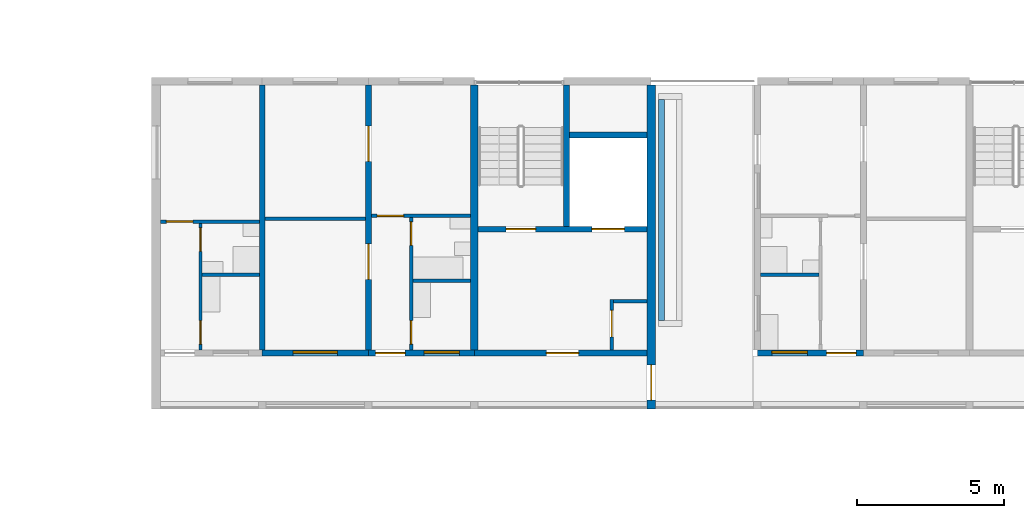
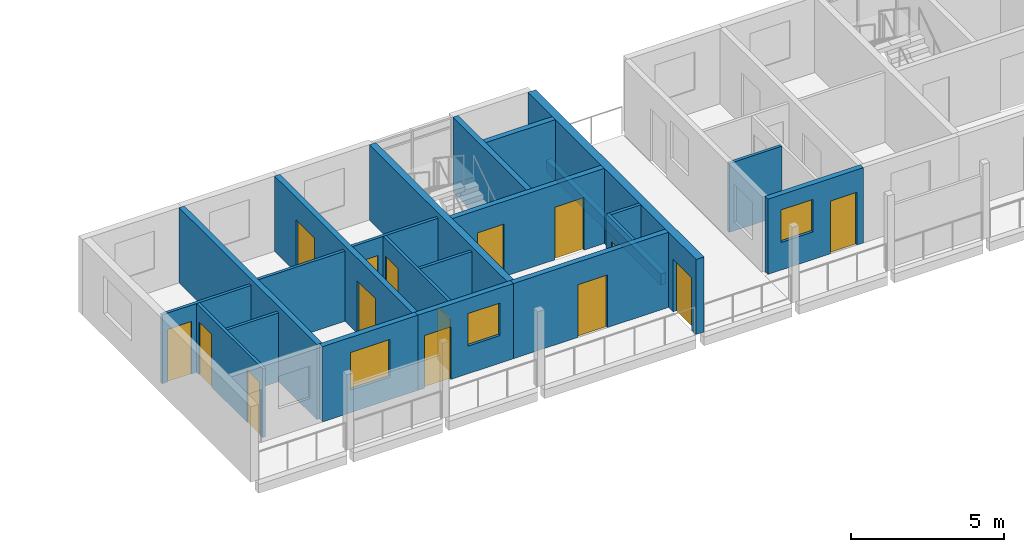
# One storey, part 48 of 94: 22 walls, 15 doors, 3 windows, 18 openings.
"""IFC4 building model written with IfcOpenShell, lengths in metres."""

from ifc_helpers import new_model, si_unit, direction, frame, frame_2d, origin, place, context, subcontext, project, spatial, rectangle, extrude, material, layer, layer_set, type_object, element, fill, save


model = new_model("IFC4")

# Units and contexts
model_context = context("Model", 3, precision=1e-05, world=origin(), true_north=direction((0.0, 1.0)))
body_context = subcontext(model_context, "Body", "Model", "MODEL_VIEW")
ifc_project = project(units=[si_unit("LENGTHUNIT", "METRE"), si_unit("AREAUNIT", "SQUARE_METRE"), si_unit("VOLUMEUNIT", "CUBIC_METRE"), si_unit("PLANEANGLEUNIT", "RADIAN"), si_unit("MASSUNIT", "GRAM", prefix="KILO")], contexts=[model_context])

# Site, building, storey
site_placement = place(None, origin())
site = spatial("IfcSite", under=ifc_project, at=site_placement, CompositionType="ELEMENT")
building_placement = place(site_placement, origin())
building = spatial("IfcBuilding", under=site, at=building_placement, Name="Ridgestep Commons", CompositionType="ELEMENT")
storey_placement = place(building_placement, frame((0.0, 0.0, 21.0)))
storey = spatial("IfcBuildingStorey", under=building, at=storey_placement, Name="L07", CompositionType="ELEMENT", Elevation=21.0)

# Wall
ifc_material_1 = material(Name="Concrete C30/37", Category="concrete")
ifc_layer_1 = layer(ifc_material_1, 0.25)
ifc_layer_set_1 = layer_set([ifc_layer_1], Name="Core cross wall 250")
wall_type_1 = type_object("IfcWallType", Name="Core cross wall 250", PredefinedType="SHEAR", material=ifc_layer_set_1)
wall_1_placement = place(storey_placement, frame((157.60009765625, 68.0, 0.0), z_axis=(0.0, 0.0, 1.0), x_axis=(0.0, 1.0, 0.0)))
element("IfcWall", 1, at=wall_1_placement, inside=storey, type_object=wall_type_1, Name="Cross wall C-07-1576", PredefinedType="SHEAR", context=body_context, shape_type="SweptSolid", body=[
    extrude(rectangle(XDim=9.0, YDim=0.25, at=frame_2d((4.5, 0.0))), origin(), (0.0, 0.0, 1.0), 3.0),
])

# Wall, opening, door
ifc_material_2 = material(Name="Concrete C30/37", Category="concrete")
ifc_layer_2 = layer(ifc_material_2, 0.199951171875)
ifc_layer_set_2 = layer_set([ifc_layer_2], Name="Core south wall 200")
wall_type_2 = type_object("IfcWallType", Name="Core south wall 200", PredefinedType="SHEAR", material=ifc_layer_set_2)
wall_2_placement = place(storey_placement, frame((157.60009765625, 67.89990234375, 0.0), z_axis=(0.0, 0.0, 1.0), x_axis=(1.0, 0.0, 0.0)))
wall_2 = element("IfcWall", 2, at=wall_2_placement, inside=storey, type_object=wall_type_2, Name="Core south wall C1C L07", PredefinedType="SHEAR", context=body_context, shape_type="SweptSolid", body=[
    extrude(rectangle(XDim=5.849853515625, YDim=0.199951171875, at=frame_2d((2.9248046875, 0.0))), origin(), (0.0, 0.0, 1.0), 3.0),
])
opening_1_placement = place(wall_2_placement, frame((2.4375, 0.0, 0.0)))
opening_1 = element("IfcOpeningElement", 3, at=opening_1_placement, cuts=wall_2, Name="Opening C1C/07/1", PredefinedType="OPENING", context=body_context, shape_type="SweptSolid", body=[
    extrude(rectangle(XDim=1.10009765625, YDim=2.10009765625, at=frame_2d((0.550048828125, 1.050048828125))), frame((0.0, 0.10986328125, 0.0), z_axis=(0.0, -1.0, 0.0), x_axis=(1.0, 0.0, 0.0)), (0.0, 0.0, 1.0), 0.219970703125),
])
ifc_material_3 = material(Name="Steel fire door", Category="steel")
door_type_1 = type_object("IfcDoorType", Name="Lobby door 1100 x 2100 FD60", OperationType="NOTDEFINED", PredefinedType="DOOR", material=ifc_material_3)
door_1_placement = place(opening_1_placement, origin())
door_1 = element("IfcDoor", 4, at=door_1_placement, inside=storey, type_object=door_type_1, Name="Lobby door C1C/07/1", OperationType="SINGLE_SWING_LEFT", OverallHeight=2.10009765625, OverallWidth=1.10009765625, PredefinedType="DOOR", context=body_context, shape_type="SweptSolid", body=[
    extrude(rectangle(XDim=1.10009765625, YDim=2.10009765625, at=frame_2d((0.550048828125, 1.050048828125))), frame((0.0, 0.02490234375, 0.0), z_axis=(0.0, -1.0, 0.0), x_axis=(1.0, 0.0, 0.0)), (0.0, 0.0, 1.0), 0.050048828125),
])
fill(opening_1, door_1)

ifc_material_4 = material(Name="Concrete C30/37", Category="concrete")
ifc_layer_3 = layer(ifc_material_4, 0.1201171875)
ifc_layer_set_3 = layer_set([ifc_layer_3], Name="Core wall 120")
wall_type_3 = type_object("IfcWallType", Name="Core wall 120", PredefinedType="SHEAR", material=ifc_layer_set_3)
wall_3_placement = place(storey_placement, frame((162.260009765625, 68.0, 0.0), z_axis=(0.0, 0.0, 1.0), x_axis=(0.0, 1.0, 0.0)))
wall_3 = element("IfcWall", 5, at=wall_3_placement, inside=storey, type_object=wall_type_3, Name="Core riser w wall C1C L07", PredefinedType="SHEAR", context=body_context, shape_type="SweptSolid", body=[
    extrude(rectangle(XDim=1.719970703125, YDim=0.1201171875, at=frame_2d((0.85986328125, 0.0))), origin(), (0.0, 0.0, 1.0), 3.0),
])
opening_2_placement = place(wall_3_placement, frame((0.449951171875, 0.0, 0.0)))
opening_2 = element("IfcOpeningElement", 6, at=opening_2_placement, cuts=wall_3, Name="Opening C1C/07/4", PredefinedType="OPENING", context=body_context, shape_type="SweptSolid", body=[
    extrude(rectangle(XDim=0.89990234375, YDim=2.10009765625, at=frame_2d((0.449951171875, 1.050048828125))), frame((0.0, 0.070068359375, 0.0), z_axis=(0.0, -1.0, 0.0), x_axis=(1.0, 0.0, 0.0)), (0.0, 0.0, 1.0), 0.14013671875),
])
ifc_material_5 = material(Name="Steel fire door", Category="steel")
door_type_2 = type_object("IfcDoorType", Name="Riser door 900 x 2100 FD60", OperationType="NOTDEFINED", PredefinedType="DOOR", material=ifc_material_5)
door_2_placement = place(opening_2_placement, origin())
door_2 = element("IfcDoor", 7, at=door_2_placement, inside=storey, type_object=door_type_2, Name="Riser door C1C/07/4", OperationType="SINGLE_SWING_LEFT", OverallHeight=2.10009765625, OverallWidth=0.89990234375, PredefinedType="DOOR", context=body_context, shape_type="SweptSolid", body=[
    extrude(rectangle(XDim=0.89990234375, YDim=2.10009765625, at=frame_2d((0.449951171875, 1.050048828125))), frame((0.0, 0.02490234375, 0.0), z_axis=(0.0, -1.0, 0.0), x_axis=(1.0, 0.0, 0.0)), (0.0, 0.0, 1.0), 0.050048828125),
])
fill(opening_2, door_2)

# Wall
wall_4_placement = place(storey_placement, frame((162.320068359375, 69.659912109375, 0.0), z_axis=(0.0, 0.0, 1.0), x_axis=(1.0, 0.0, 0.0)))
element("IfcWall", 8, at=wall_4_placement, inside=storey, type_object=wall_type_3, Name="Core riser n wall C1C L07", PredefinedType="SHEAR", context=body_context, shape_type="SweptSolid", body=[
    extrude(rectangle(XDim=1.1298828125, YDim=0.1201171875, at=frame_2d((0.56494140625, 0.0))), origin(), (0.0, 0.0, 1.0), 3.0),
])

# Wall, openings, doors
ifc_material_6 = material(Name="Concrete C30/37", Category="concrete")
ifc_layer_4 = layer(ifc_material_6, 0.199951171875)
ifc_layer_set_4 = layer_set([ifc_layer_4], Name="Core wall 200")
wall_type_4 = type_object("IfcWallType", Name="Core wall 200", PredefinedType="SHEAR", material=ifc_layer_set_4)
wall_5_placement = place(storey_placement, frame((157.72509765625, 72.10009765625, 0.0), z_axis=(0.0, 0.0, 1.0), x_axis=(1.0, 0.0, 0.0)))
wall_5 = element("IfcWall", 9, at=wall_5_placement, inside=storey, type_object=wall_type_4, Name="Core lobby wall C1C L07", PredefinedType="SHEAR", context=body_context, shape_type="SweptSolid", body=[
    extrude(rectangle(XDim=5.724853515625, YDim=0.199951171875, at=frame_2d((2.8623046875, 0.0))), origin(), (0.0, 0.0, 1.0), 3.0),
])
opening_3_placement = place(wall_5_placement, frame((0.949951171875, 0.0, 0.0)))
opening_3 = element("IfcOpeningElement", 10, at=opening_3_placement, cuts=wall_5, Name="Opening C1C/07/2", PredefinedType="OPENING", context=body_context, shape_type="SweptSolid", body=[
    extrude(rectangle(XDim=1.0, YDim=2.10009765625, at=frame_2d((0.5, 1.050048828125))), frame((0.0, 0.10986328125, 0.0), z_axis=(0.0, -1.0, 0.0), x_axis=(1.0, 0.0, 0.0)), (0.0, 0.0, 1.0), 0.219970703125),
])
opening_4_placement = place(wall_5_placement, frame((3.862548828125, 0.0, 0.0)))
opening_4 = element("IfcOpeningElement", 11, at=opening_4_placement, cuts=wall_5, Name="Opening C1C/07/3", PredefinedType="OPENING", context=body_context, shape_type="SweptSolid", body=[
    extrude(rectangle(XDim=1.10009765625, YDim=2.10009765625, at=frame_2d((0.550048828125, 1.050048828125))), frame((0.0, 0.10986328125, 0.0), z_axis=(0.0, -1.0, 0.0), x_axis=(1.0, 0.0, 0.0)), (0.0, 0.0, 1.0), 0.219970703125),
])
ifc_material_7 = material(Name="Stainless steel", Category="steel")
door_type_3 = type_object("IfcDoorType", Name="Lift landing door 1100 x 2100 FD60", OperationType="DOUBLE_DOOR_SLIDING", PredefinedType="DOOR", material=ifc_material_7)
door_3_placement = place(opening_4_placement, origin())
door_3 = element("IfcDoor", 12, at=door_3_placement, inside=storey, type_object=door_type_3, Name="Landing door LD C1C L07", OperationType="DOUBLE_DOOR_SLIDING", OverallHeight=2.10009765625, OverallWidth=1.10009765625, PredefinedType="DOOR", context=body_context, shape_type="SweptSolid", body=[
    extrude(rectangle(XDim=1.10009765625, YDim=2.10009765625, at=frame_2d((0.550048828125, 1.050048828125))), frame((0.0, 0.02490234375, 0.0), z_axis=(0.0, -1.0, 0.0), x_axis=(1.0, 0.0, 0.0)), (0.0, 0.0, 1.0), 0.050048828125),
])
fill(opening_4, door_3)
ifc_material_8 = material(Name="Steel fire door", Category="steel")
door_type_4 = type_object("IfcDoorType", Name="Stair door 1000 x 2100 FD60", OperationType="NOTDEFINED", PredefinedType="DOOR", material=ifc_material_8)
door_4_placement = place(opening_3_placement, origin())
door_4 = element("IfcDoor", 13, at=door_4_placement, inside=storey, type_object=door_type_4, Name="Stair door C1C/07/2", OperationType="SINGLE_SWING_RIGHT", OverallHeight=2.10009765625, OverallWidth=1.0, PredefinedType="DOOR", context=body_context, shape_type="SweptSolid", body=[
    extrude(rectangle(XDim=1.0, YDim=2.10009765625, at=frame_2d((0.5, 1.050048828125))), frame((0.0, 0.02490234375, 0.0), z_axis=(0.0, -1.0, 0.0), x_axis=(1.0, 0.0, 0.0)), (0.0, 0.0, 1.0), 0.050048828125),
])
fill(opening_3, door_4)

# Walls
wall_6_placement = place(storey_placement, frame((160.72509765625, 72.199951171875, 0.0), z_axis=(0.0, 0.0, 1.0), x_axis=(0.0, 1.0, 0.0)))
element("IfcWall", 14, at=wall_6_placement, inside=storey, type_object=wall_type_4, Name="Core stair wall C1C L07", PredefinedType="SHEAR", context=body_context, shape_type="SweptSolid", body=[
    extrude(rectangle(XDim=4.800048828125, YDim=0.199951171875, at=frame_2d((2.39990234375, 0.0))), origin(), (0.0, 0.0, 1.0), 3.0),
])
wall_7_placement = place(storey_placement, frame((160.824951171875, 75.300048828125, 0.0), z_axis=(0.0, 0.0, 1.0), x_axis=(1.0, 0.0, 0.0)))
element("IfcWall", 15, at=wall_7_placement, inside=storey, type_object=wall_type_4, Name="Core duct wall C1C L07", PredefinedType="SHEAR", context=body_context, shape_type="SweptSolid", body=[
    extrude(rectangle(XDim=2.625, YDim=0.199951171875, at=frame_2d((1.3125, 0.0))), origin(), (0.0, 0.0, 1.0), 3.0),
])
ifc_material_9 = material(Name="Precast concrete C40/50", Category="concrete")
ifc_layer_5 = layer(ifc_material_9, 0.199951171875)
ifc_layer_set_5 = layer_set([ifc_layer_5], Name="Cross wall 200")
wall_type_5 = type_object("IfcWallType", Name="Cross wall 200", PredefinedType="SHEAR", material=ifc_layer_set_5)
wall_8_placement = place(storey_placement, frame((150.39990234375, 68.0, 0.0), z_axis=(0.0, 0.0, 1.0), x_axis=(0.0, 1.0, 0.0)))
element("IfcWall", 16, at=wall_8_placement, inside=storey, type_object=wall_type_5, Name="Cross wall C-07-1504", PredefinedType="SHEAR", context=body_context, shape_type="SweptSolid", body=[
    extrude(rectangle(XDim=9.0, YDim=0.199951171875, at=frame_2d((4.5, 0.0))), origin(), (0.0, 0.0, 1.0), 3.0),
])

# Wall, openings, doors
wall_9_placement = place(storey_placement, frame((154.0, 68.0, 0.0), z_axis=(0.0, 0.0, 1.0), x_axis=(0.0, 1.0, 0.0)))
wall_9 = element("IfcWall", 17, at=wall_9_placement, inside=storey, type_object=wall_type_5, Name="Cross wall C-07-1540", PredefinedType="SHEAR", context=body_context, shape_type="SweptSolid", body=[
    extrude(rectangle(XDim=9.0, YDim=0.199951171875, at=frame_2d((4.5, 0.0))), origin(), (0.0, 0.0, 1.0), 3.0),
])
opening_5_placement = place(wall_9_placement, frame((2.39990234375, 0.0, 0.0)))
opening_5 = element("IfcOpeningElement", 18, at=opening_5_placement, cuts=wall_9, Name="Opening C1-07b/5", PredefinedType="OPENING", context=body_context, shape_type="SweptSolid", body=[
    extrude(rectangle(XDim=1.199951171875, YDim=2.10009765625, at=frame_2d((0.60009765625, 1.050048828125))), frame((0.0, 0.10986328125, 0.0), z_axis=(0.0, -1.0, 0.0), x_axis=(1.0, 0.0, 0.0)), (0.0, 0.0, 1.0), 0.219970703125),
])
opening_6_placement = place(wall_9_placement, frame((6.39990234375, 0.0, 0.0)))
opening_6 = element("IfcOpeningElement", 19, at=opening_6_placement, cuts=wall_9, Name="Opening C1-07b/6", PredefinedType="OPENING", context=body_context, shape_type="SweptSolid", body=[
    extrude(rectangle(XDim=1.199951171875, YDim=2.10009765625, at=frame_2d((0.60009765625, 1.050048828125))), frame((0.0, 0.10986328125, 0.0), z_axis=(0.0, -1.0, 0.0), x_axis=(1.0, 0.0, 0.0)), (0.0, 0.0, 1.0), 0.219970703125),
])
ifc_material_10 = material(Name="Timber door leaf", Category="wood")
door_type_5 = type_object("IfcDoorType", Name="Double door 1200 x 2100", OperationType="DOUBLE_DOOR_SINGLE_SWING", PredefinedType="DOOR", material=ifc_material_10)
door_5_placement = place(opening_5_placement, origin())
door_5 = element("IfcDoor", 20, at=door_5_placement, inside=storey, type_object=door_type_5, Name="Double door C1-07b/5", OperationType="DOUBLE_DOOR_SINGLE_SWING", OverallHeight=2.10009765625, OverallWidth=1.199951171875, PredefinedType="DOOR", context=body_context, shape_type="SweptSolid", body=[
    extrude(rectangle(XDim=1.199951171875, YDim=2.10009765625, at=frame_2d((0.60009765625, 1.050048828125))), frame((0.0, 0.02490234375, 0.0), z_axis=(0.0, -1.0, 0.0), x_axis=(1.0, 0.0, 0.0)), (0.0, 0.0, 1.0), 0.050048828125),
])
fill(opening_5, door_5)
door_6_placement = place(opening_6_placement, origin())
door_6 = element("IfcDoor", 21, at=door_6_placement, inside=storey, type_object=door_type_5, Name="Double door C1-07b/6", OperationType="DOUBLE_DOOR_SINGLE_SWING", OverallHeight=2.10009765625, OverallWidth=1.199951171875, PredefinedType="DOOR", context=body_context, shape_type="SweptSolid", body=[
    extrude(rectangle(XDim=1.199951171875, YDim=2.10009765625, at=frame_2d((0.60009765625, 1.050048828125))), frame((0.0, 0.02490234375, 0.0), z_axis=(0.0, -1.0, 0.0), x_axis=(1.0, 0.0, 0.0)), (0.0, 0.0, 1.0), 0.050048828125),
])
fill(opening_6, door_6)

# Wall, opening, door
ifc_material_11 = material(Name="Precast concrete C40/50", Category="concrete")
ifc_layer_6 = layer(ifc_material_11, 0.300048828125)
ifc_layer_set_6 = layer_set([ifc_layer_6], Name="Exposed division wall 300")
wall_type_6 = type_object("IfcWallType", Name="Exposed division wall 300", PredefinedType="SHEAR", material=ifc_layer_set_6)
wall_10_placement = place(storey_placement, frame((163.60009765625, 66.0, 0.0), z_axis=(0.0, 0.0, 1.0), x_axis=(0.0, 1.0, 0.0)))
wall_10 = element("IfcWall", 22, at=wall_10_placement, inside=storey, type_object=wall_type_6, Name="Cross wall C-07-1636", PredefinedType="SHEAR", context=body_context, shape_type="SweptSolid", body=[
    extrude(rectangle(XDim=11.0, YDim=0.300048828125, at=frame_2d((5.5, 0.0))), origin(), (0.0, 0.0, 1.0), 3.0),
])
opening_7_placement = place(wall_10_placement, frame((0.300048828125, 0.0, 0.0)))
opening_7 = element("IfcOpeningElement", 23, at=opening_7_placement, cuts=wall_10, Name="Opening C/07/G1636", PredefinedType="OPENING", context=body_context, shape_type="SweptSolid", body=[
    extrude(rectangle(XDim=1.199951171875, YDim=2.10009765625, at=frame_2d((0.60009765625, 1.050048828125))), frame((0.0, 0.159912109375, 0.0), z_axis=(0.0, -1.0, 0.0), x_axis=(1.0, 0.0, 0.0)), (0.0, 0.0, 1.0), 0.320068359375),
])
ifc_material_12 = material(Name="Steel fire door", Category="steel")
door_type_6 = type_object("IfcDoorType", Name="Division fire door 1200 x 2100 EI 240", OperationType="DOUBLE_DOOR_SINGLE_SWING", PredefinedType="DOOR", material=ifc_material_12)
door_7_placement = place(opening_7_placement, origin())
door_7 = element("IfcDoor", 24, at=door_7_placement, inside=storey, type_object=door_type_6, Name="Division fire door C/07/G1636", OperationType="DOUBLE_DOOR_SINGLE_SWING", OverallHeight=2.10009765625, OverallWidth=1.199951171875, PredefinedType="DOOR", context=body_context, shape_type="SweptSolid", body=[
    extrude(rectangle(XDim=1.199951171875, YDim=2.10009765625, at=frame_2d((0.60009765625, 1.050048828125))), frame((0.0, 0.02490234375, 0.0), z_axis=(0.0, -1.0, 0.0), x_axis=(1.0, 0.0, 0.0)), (0.0, 0.0, 1.0), 0.050048828125),
])
fill(opening_7, door_7)

# Wall, openings, doors
ifc_material_13 = material(Name="Common brick 110 mm", Category="masonry")
ifc_layer_7 = layer(ifc_material_13, 0.110107421875)
ifc_layer_set_7 = layer_set([ifc_layer_7], Name="Partition 110")
wall_type_7 = type_object("IfcWallType", Name="Partition 110", PredefinedType="PARTITIONING", material=ifc_layer_set_7)
wall_11_placement = place(storey_placement, frame((148.304931640625, 68.0, 0.0), z_axis=(0.0, 0.0, 1.0), x_axis=(0.0, 1.0, 0.0)))
wall_11 = element("IfcWall", 25, at=wall_11_placement, inside=storey, type_object=wall_type_7, Name="Partition C1-07a", PredefinedType="PARTITIONING", context=body_context, shape_type="SweptSolid", body=[
    extrude(rectangle(XDim=4.300048828125, YDim=0.110107421875, at=frame_2d((2.14990234375, 0.0))), origin(), (0.0, 0.0, 1.0), 2.75),
])
opening_8_placement = place(wall_11_placement, frame((0.199951171875, 0.0, 0.0)))
opening_8 = element("IfcOpeningElement", 26, at=opening_8_placement, cuts=wall_11, Name="Opening C1-07a/2", PredefinedType="OPENING", context=body_context, shape_type="SweptSolid", body=[
    extrude(rectangle(XDim=0.800048828125, YDim=2.10009765625, at=frame_2d((0.39990234375, 1.050048828125))), frame((0.0, 0.06494140625, 0.0), z_axis=(0.0, -1.0, 0.0), x_axis=(1.0, 0.0, 0.0)), (0.0, 0.0, 1.0), 0.130126953125),
])
opening_9_placement = place(wall_11_placement, frame((3.35009765625, 0.0, 0.0)))
opening_9 = element("IfcOpeningElement", 27, at=opening_9_placement, cuts=wall_11, Name="Opening C1-07a/3", PredefinedType="OPENING", context=body_context, shape_type="SweptSolid", body=[
    extrude(rectangle(XDim=0.800048828125, YDim=2.10009765625, at=frame_2d((0.39990234375, 1.050048828125))), frame((0.0, 0.06494140625, 0.0), z_axis=(0.0, -1.0, 0.0), x_axis=(1.0, 0.0, 0.0)), (0.0, 0.0, 1.0), 0.130126953125),
])
ifc_material_14 = material(Name="Timber door leaf", Category="wood")
door_type_7 = type_object("IfcDoorType", Name="Internal door 800 x 2100", OperationType="NOTDEFINED", PredefinedType="DOOR", material=ifc_material_14)
door_8_placement = place(opening_8_placement, origin())
door_8 = element("IfcDoor", 28, at=door_8_placement, inside=storey, type_object=door_type_7, Name="Internal door C1-07a/2", OperationType="SINGLE_SWING_RIGHT", OverallHeight=2.10009765625, OverallWidth=0.800048828125, PredefinedType="DOOR", context=body_context, shape_type="SweptSolid", body=[
    extrude(rectangle(XDim=0.800048828125, YDim=2.10009765625, at=frame_2d((0.39990234375, 1.050048828125))), frame((0.0, 0.02490234375, 0.0), z_axis=(0.0, -1.0, 0.0), x_axis=(1.0, 0.0, 0.0)), (0.0, 0.0, 1.0), 0.050048828125),
])
fill(opening_8, door_8)
door_9_placement = place(opening_9_placement, origin())
door_9 = element("IfcDoor", 29, at=door_9_placement, inside=storey, type_object=door_type_7, Name="Internal door C1-07a/3", OperationType="SINGLE_SWING_LEFT", OverallHeight=2.10009765625, OverallWidth=0.800048828125, PredefinedType="DOOR", context=body_context, shape_type="SweptSolid", body=[
    extrude(rectangle(XDim=0.800048828125, YDim=2.10009765625, at=frame_2d((0.39990234375, 1.050048828125))), frame((0.0, 0.02490234375, 0.0), z_axis=(0.0, -1.0, 0.0), x_axis=(1.0, 0.0, 0.0)), (0.0, 0.0, 1.0), 0.050048828125),
])
fill(opening_9, door_9)

# Wall
wall_12_placement = place(storey_placement, frame((148.360107421875, 70.554931640625, 0.0), z_axis=(0.0, 0.0, 1.0), x_axis=(1.0, 0.0, 0.0)))
element("IfcWall", 30, at=wall_12_placement, inside=storey, type_object=wall_type_7, Name="Partition C1-07a", PredefinedType="PARTITIONING", context=body_context, shape_type="SweptSolid", body=[
    extrude(rectangle(XDim=1.93994140625, YDim=0.110107421875, at=frame_2d((0.969970703125, 0.0))), origin(), (0.0, 0.0, 1.0), 2.75),
])

# Wall, opening, door
wall_13_placement = place(storey_placement, frame((146.949951171875, 72.35498046875, 0.0), z_axis=(0.0, 0.0, 1.0), x_axis=(1.0, 0.0, 0.0)))
wall_13 = element("IfcWall", 31, at=wall_13_placement, inside=storey, type_object=wall_type_7, Name="Partition C1-07a", PredefinedType="PARTITIONING", context=body_context, shape_type="SweptSolid", body=[
    extrude(rectangle(XDim=3.35009765625, YDim=0.110107421875, at=frame_2d((1.675048828125, 0.0))), origin(), (0.0, 0.0, 1.0), 2.75),
])
opening_10_placement = place(wall_13_placement, frame((0.199951171875, 0.0, 0.0)))
opening_10 = element("IfcOpeningElement", 32, at=opening_10_placement, cuts=wall_13, Name="Opening C1-07a/4", PredefinedType="OPENING", context=body_context, shape_type="SweptSolid", body=[
    extrude(rectangle(XDim=0.89990234375, YDim=2.10009765625, at=frame_2d((0.449951171875, 1.050048828125))), frame((0.0, 0.06494140625, 0.0), z_axis=(0.0, -1.0, 0.0), x_axis=(1.0, 0.0, 0.0)), (0.0, 0.0, 1.0), 0.130126953125),
])
ifc_material_15 = material(Name="Timber door leaf", Category="wood")
door_type_8 = type_object("IfcDoorType", Name="Internal door 900 x 2100", OperationType="NOTDEFINED", PredefinedType="DOOR", material=ifc_material_15)
door_10_placement = place(opening_10_placement, origin())
door_10 = element("IfcDoor", 33, at=door_10_placement, inside=storey, type_object=door_type_8, Name="Internal door C1-07a/4", OperationType="SINGLE_SWING_LEFT", OverallHeight=2.10009765625, OverallWidth=0.89990234375, PredefinedType="DOOR", context=body_context, shape_type="SweptSolid", body=[
    extrude(rectangle(XDim=0.89990234375, YDim=2.10009765625, at=frame_2d((0.449951171875, 1.050048828125))), frame((0.0, 0.02490234375, 0.0), z_axis=(0.0, -1.0, 0.0), x_axis=(1.0, 0.0, 0.0)), (0.0, 0.0, 1.0), 0.050048828125),
])
fill(opening_10, door_10)

# Wall, openings, doors
wall_14_placement = place(storey_placement, frame((155.455078125, 68.0, 0.0), z_axis=(0.0, 0.0, 1.0), x_axis=(0.0, 1.0, 0.0)))
wall_14 = element("IfcWall", 34, at=wall_14_placement, inside=storey, type_object=wall_type_7, Name="Partition C1-07b", PredefinedType="PARTITIONING", context=body_context, shape_type="SweptSolid", body=[
    extrude(rectangle(XDim=4.5, YDim=0.110107421875, at=frame_2d((2.25, 0.0))), origin(), (0.0, 0.0, 1.0), 2.800048828125),
])
opening_11_placement = place(wall_14_placement, frame((0.199951171875, 0.0, 0.0)))
opening_11 = element("IfcOpeningElement", 35, at=opening_11_placement, cuts=wall_14, Name="Opening C1-07b/2", PredefinedType="OPENING", context=body_context, shape_type="SweptSolid", body=[
    extrude(rectangle(XDim=0.800048828125, YDim=2.10009765625, at=frame_2d((0.39990234375, 1.050048828125))), frame((0.0, 0.06494140625, 0.0), z_axis=(0.0, -1.0, 0.0), x_axis=(1.0, 0.0, 0.0)), (0.0, 0.0, 1.0), 0.130126953125),
])
opening_12_placement = place(wall_14_placement, frame((3.550048828125, 0.0, 0.0)))
opening_12 = element("IfcOpeningElement", 36, at=opening_12_placement, cuts=wall_14, Name="Opening C1-07b/3", PredefinedType="OPENING", context=body_context, shape_type="SweptSolid", body=[
    extrude(rectangle(XDim=0.800048828125, YDim=2.10009765625, at=frame_2d((0.39990234375, 1.050048828125))), frame((0.0, 0.06494140625, 0.0), z_axis=(0.0, -1.0, 0.0), x_axis=(1.0, 0.0, 0.0)), (0.0, 0.0, 1.0), 0.130126953125),
])
door_11_placement = place(opening_11_placement, origin())
door_11 = element("IfcDoor", 37, at=door_11_placement, inside=storey, type_object=door_type_7, Name="Internal door C1-07b/2", OperationType="SINGLE_SWING_RIGHT", OverallHeight=2.10009765625, OverallWidth=0.800048828125, PredefinedType="DOOR", context=body_context, shape_type="SweptSolid", body=[
    extrude(rectangle(XDim=0.800048828125, YDim=2.10009765625, at=frame_2d((0.39990234375, 1.050048828125))), frame((0.0, 0.02490234375, 0.0), z_axis=(0.0, -1.0, 0.0), x_axis=(1.0, 0.0, 0.0)), (0.0, 0.0, 1.0), 0.050048828125),
])
fill(opening_11, door_11)
door_12_placement = place(opening_12_placement, origin())
door_12 = element("IfcDoor", 38, at=door_12_placement, inside=storey, type_object=door_type_7, Name="Internal door C1-07b/3", OperationType="SINGLE_SWING_LEFT", OverallHeight=2.10009765625, OverallWidth=0.800048828125, PredefinedType="DOOR", context=body_context, shape_type="SweptSolid", body=[
    extrude(rectangle(XDim=0.800048828125, YDim=2.10009765625, at=frame_2d((0.39990234375, 1.050048828125))), frame((0.0, 0.02490234375, 0.0), z_axis=(0.0, -1.0, 0.0), x_axis=(1.0, 0.0, 0.0)), (0.0, 0.0, 1.0), 0.050048828125),
])
fill(opening_12, door_12)

# Wall
wall_15_placement = place(storey_placement, frame((155.510009765625, 70.35498046875, 0.0), z_axis=(0.0, 0.0, 1.0), x_axis=(1.0, 0.0, 0.0)))
element("IfcWall", 39, at=wall_15_placement, inside=storey, type_object=wall_type_7, Name="Partition C1-07b", PredefinedType="PARTITIONING", context=body_context, shape_type="SweptSolid", body=[
    extrude(rectangle(XDim=1.965087890625, YDim=0.110107421875, at=frame_2d((0.982421875, 0.0))), origin(), (0.0, 0.0, 1.0), 2.800048828125),
])

# Wall, opening, door
wall_16_placement = place(storey_placement, frame((154.10009765625, 72.554931640625, 0.0), z_axis=(0.0, 0.0, 1.0), x_axis=(1.0, 0.0, 0.0)))
wall_16 = element("IfcWall", 40, at=wall_16_placement, inside=storey, type_object=wall_type_7, Name="Partition C1-07b", PredefinedType="PARTITIONING", context=body_context, shape_type="SweptSolid", body=[
    extrude(rectangle(XDim=3.375, YDim=0.110107421875, at=frame_2d((1.6875, 0.0))), origin(), (0.0, 0.0, 1.0), 2.800048828125),
])
opening_13_placement = place(wall_16_placement, frame((0.199951171875, 0.0, 0.0)))
opening_13 = element("IfcOpeningElement", 41, at=opening_13_placement, cuts=wall_16, Name="Opening C1-07b/4", PredefinedType="OPENING", context=body_context, shape_type="SweptSolid", body=[
    extrude(rectangle(XDim=0.89990234375, YDim=2.10009765625, at=frame_2d((0.449951171875, 1.050048828125))), frame((0.0, 0.06494140625, 0.0), z_axis=(0.0, -1.0, 0.0), x_axis=(1.0, 0.0, 0.0)), (0.0, 0.0, 1.0), 0.130126953125),
])
door_13_placement = place(opening_13_placement, origin())
door_13 = element("IfcDoor", 42, at=door_13_placement, inside=storey, type_object=door_type_8, Name="Internal door C1-07b/4", OperationType="SINGLE_SWING_LEFT", OverallHeight=2.10009765625, OverallWidth=0.89990234375, PredefinedType="DOOR", context=body_context, shape_type="SweptSolid", body=[
    extrude(rectangle(XDim=0.89990234375, YDim=2.10009765625, at=frame_2d((0.449951171875, 1.050048828125))), frame((0.0, 0.02490234375, 0.0), z_axis=(0.0, -1.0, 0.0), x_axis=(1.0, 0.0, 0.0)), (0.0, 0.0, 1.0), 0.050048828125),
])
fill(opening_13, door_13)

# Walls
wall_17_placement = place(storey_placement, frame((150.5, 72.455078125, 0.0), z_axis=(0.0, 0.0, 1.0), x_axis=(1.0, 0.0, 0.0)))
element("IfcWall", 43, at=wall_17_placement, inside=storey, type_object=wall_type_7, Name="Partition C1-07b", PredefinedType="PARTITIONING", context=body_context, shape_type="SweptSolid", body=[
    extrude(rectangle(XDim=3.39990234375, YDim=0.110107421875, at=frame_2d((1.699951171875, 0.0))), origin(), (0.0, 0.0, 1.0), 2.800048828125),
])
wall_18_placement = place(storey_placement, frame((167.300048828125, 70.554931640625, 0.0), z_axis=(0.0, 0.0, 1.0), x_axis=(1.0, 0.0, 0.0)))
element("IfcWall", 44, at=wall_18_placement, inside=storey, type_object=wall_type_7, Name="Partition C2-07a", PredefinedType="PARTITIONING", context=body_context, shape_type="SweptSolid", body=[
    extrude(rectangle(XDim=1.989990234375, YDim=0.110107421875, at=frame_2d((0.9951171875, 0.0))), origin(), (0.0, 0.0, 1.0), 2.75),
])
ifc_material_16 = material(Name="Facing brick", Category="masonry")
ifc_layer_8 = layer(ifc_material_16, 0.199951171875)
ifc_layer_set_8 = layer_set([ifc_layer_8], Name="Planter wall 200")
wall_type_8 = type_object("IfcWallType", Name="Planter wall 200", PredefinedType="SOLIDWALL", material=ifc_layer_set_8)
wall_19_placement = place(storey_placement, frame((163.949951171875, 69.0, 0.010009765625), z_axis=(0.0, 0.0, 1.0), x_axis=(0.0, 1.0, 0.0)))
element("IfcWall", 45, at=wall_19_placement, inside=storey, type_object=wall_type_8, Name="Planter wall C2R1W", PredefinedType="SOLIDWALL", context=body_context, shape_type="SweptSolid", body=[
    extrude(rectangle(XDim=7.5, YDim=0.199951171875, at=frame_2d((3.75, 0.0))), origin(), (0.0, 0.0, 1.0), 0.449951171875),
])

# Wall, opening, window
ifc_material_17 = material(Name="Precast concrete C40/50", Category="concrete")
ifc_layer_9 = layer(ifc_material_17, 0.199951171875)
ifc_layer_set_9 = layer_set([ifc_layer_9], Name="South facade panel 200")
wall_type_9 = type_object("IfcWallType", Name="South facade panel 200", PredefinedType="SOLIDWALL", material=ifc_layer_set_9)
wall_20_placement = place(storey_placement, frame((150.39990234375, 67.89990234375, 0.0), z_axis=(0.0, 0.0, 1.0), x_axis=(1.0, 0.0, 0.0)))
wall_20 = element("IfcWall", 46, at=wall_20_placement, inside=storey, type_object=wall_type_9, Name="South panel C1T2 L07", PredefinedType="SOLIDWALL", context=body_context, shape_type="SweptSolid", body=[
    extrude(rectangle(XDim=3.60009765625, YDim=0.199951171875, at=frame_2d((1.800048828125, 0.0))), origin(), (0.0, 0.0, 1.0), 3.0),
])
opening_14_placement = place(wall_20_placement, frame((1.050048828125, 0.0, 0.89990234375)))
opening_14 = element("IfcOpeningElement", 47, at=opening_14_placement, cuts=wall_20, Name="Opening W16", PredefinedType="OPENING", context=body_context, shape_type="SweptSolid", body=[
    extrude(rectangle(XDim=1.5, YDim=1.5, at=frame_2d((0.75, 0.75))), frame((0.0, 0.10986328125, 0.0), z_axis=(0.0, -1.0, 0.0), x_axis=(1.0, 0.0, 0.0)), (0.0, 0.0, 1.0), 0.219970703125),
])
ifc_material_18 = material(Name="Aluminium 6063-T6 and glass", Category="aluminium")
window_type_1 = type_object("IfcWindowType", Name="Flat window 1500 x 1500", PartitioningType="DOUBLE_PANEL_VERTICAL", PredefinedType="WINDOW", material=ifc_material_18)
window_1_placement = place(opening_14_placement, origin())
window_1 = element("IfcWindow", 48, at=window_1_placement, inside=storey, type_object=window_type_1, Name="Window C1-07b 1", OverallHeight=1.5, OverallWidth=1.5, PartitioningType="SINGLE_PANEL", PredefinedType="WINDOW", context=body_context, shape_type="SweptSolid", body=[
    extrude(rectangle(XDim=1.5, YDim=1.5, at=frame_2d((0.75, 0.75))), frame((0.0, 0.06005859375, 0.0), z_axis=(0.0, -1.0, 0.0), x_axis=(1.0, 0.0, 0.0)), (0.0, 0.0, 1.0), 0.06005859375),
])
fill(opening_14, window_1)

# Wall, openings, door, window
wall_21_placement = place(storey_placement, frame((154.0, 67.89990234375, 0.0), z_axis=(0.0, 0.0, 1.0), x_axis=(1.0, 0.0, 0.0)))
wall_21 = element("IfcWall", 49, at=wall_21_placement, inside=storey, type_object=wall_type_9, Name="South panel C1T3 L07", PredefinedType="SOLIDWALL", context=body_context, shape_type="SweptSolid", body=[
    extrude(rectangle(XDim=3.60009765625, YDim=0.199951171875, at=frame_2d((1.800048828125, 0.0))), origin(), (0.0, 0.0, 1.0), 3.0),
])
opening_15_placement = place(wall_21_placement, frame((1.892578125, 0.0, 1.10009765625)))
opening_15 = element("IfcOpeningElement", 50, at=opening_15_placement, cuts=wall_21, Name="Opening W08", PredefinedType="OPENING", context=body_context, shape_type="SweptSolid", body=[
    extrude(rectangle(XDim=1.199951171875, YDim=1.300048828125, at=frame_2d((0.60009765625, 0.64990234375))), frame((0.0, 0.10986328125, 0.0), z_axis=(0.0, -1.0, 0.0), x_axis=(1.0, 0.0, 0.0)), (0.0, 0.0, 1.0), 0.219970703125),
])
opening_16_placement = place(wall_21_placement, frame((0.25, 0.0, 0.0)))
opening_16 = element("IfcOpeningElement", 51, at=opening_16_placement, cuts=wall_21, Name="Opening C1-07b/1", PredefinedType="OPENING", context=body_context, shape_type="SweptSolid", body=[
    extrude(rectangle(XDim=1.0, YDim=2.10009765625, at=frame_2d((0.5, 1.050048828125))), frame((0.0, 0.10986328125, 0.0), z_axis=(0.0, -1.0, 0.0), x_axis=(1.0, 0.0, 0.0)), (0.0, 0.0, 1.0), 0.219970703125),
])
ifc_material_19 = material(Name="Timber door leaf", Category="wood")
door_type_9 = type_object("IfcDoorType", Name="Flat entrance door 1000 x 2100 FD30S", OperationType="NOTDEFINED", PredefinedType="DOOR", material=ifc_material_19)
door_14_placement = place(opening_16_placement, origin())
door_14 = element("IfcDoor", 52, at=door_14_placement, inside=storey, type_object=door_type_9, Name="Flat entrance door C1-07b/1", OperationType="SINGLE_SWING_LEFT", OverallHeight=2.10009765625, OverallWidth=1.0, PredefinedType="DOOR", context=body_context, shape_type="SweptSolid", body=[
    extrude(rectangle(XDim=1.0, YDim=2.10009765625, at=frame_2d((0.5, 1.050048828125))), frame((0.0, 0.02490234375, 0.0), z_axis=(0.0, -1.0, 0.0), x_axis=(1.0, 0.0, 0.0)), (0.0, 0.0, 1.0), 0.050048828125),
])
fill(opening_16, door_14)
ifc_material_20 = material(Name="Aluminium 6063-T6 and glass", Category="aluminium")
window_type_2 = type_object("IfcWindowType", Name="Flat window 1200 x 1300", PartitioningType="SINGLE_PANEL", PredefinedType="WINDOW", material=ifc_material_20)
window_2_placement = place(opening_15_placement, origin())
window_2 = element("IfcWindow", 53, at=window_2_placement, inside=storey, type_object=window_type_2, Name="Window C1-07b 3", OverallHeight=1.300048828125, OverallWidth=1.199951171875, PartitioningType="SINGLE_PANEL", PredefinedType="WINDOW", context=body_context, shape_type="SweptSolid", body=[
    extrude(rectangle(XDim=1.199951171875, YDim=1.300048828125, at=frame_2d((0.60009765625, 0.64990234375))), frame((0.0, 0.06005859375, 0.0), z_axis=(0.0, -1.0, 0.0), x_axis=(1.0, 0.0, 0.0)), (0.0, 0.0, 1.0), 0.06005859375),
])
fill(opening_15, window_2)

wall_22_placement = place(storey_placement, frame((167.199951171875, 67.89990234375, 0.0), z_axis=(0.0, 0.0, 1.0), x_axis=(1.0, 0.0, 0.0)))
wall_22 = element("IfcWall", 54, at=wall_22_placement, inside=storey, type_object=wall_type_9, Name="South panel C2T2 L07", PredefinedType="SOLIDWALL", context=body_context, shape_type="SweptSolid", body=[
    extrude(rectangle(XDim=3.60009765625, YDim=0.199951171875, at=frame_2d((1.800048828125, 0.0))), origin(), (0.0, 0.0, 1.0), 3.0),
])
opening_17_placement = place(wall_22_placement, frame((0.4951171875, 0.0, 1.10009765625)))
opening_17 = element("IfcOpeningElement", 55, at=opening_17_placement, cuts=wall_22, Name="Opening W08", PredefinedType="OPENING", context=body_context, shape_type="SweptSolid", body=[
    extrude(rectangle(XDim=1.199951171875, YDim=1.300048828125, at=frame_2d((0.60009765625, 0.64990234375))), frame((0.0, 0.10986328125, 0.0), z_axis=(0.0, -1.0, 0.0), x_axis=(1.0, 0.0, 0.0)), (0.0, 0.0, 1.0), 0.219970703125),
])
opening_18_placement = place(wall_22_placement, frame((2.35009765625, 0.0, 0.0)))
opening_18 = element("IfcOpeningElement", 56, at=opening_18_placement, cuts=wall_22, Name="Opening C2-07a/1", PredefinedType="OPENING", context=body_context, shape_type="SweptSolid", body=[
    extrude(rectangle(XDim=1.0, YDim=2.10009765625, at=frame_2d((0.5, 1.050048828125))), frame((0.0, 0.10986328125, 0.0), z_axis=(0.0, -1.0, 0.0), x_axis=(1.0, 0.0, 0.0)), (0.0, 0.0, 1.0), 0.219970703125),
])
door_15_placement = place(opening_18_placement, origin())
door_15 = element("IfcDoor", 57, at=door_15_placement, inside=storey, type_object=door_type_9, Name="Flat entrance door C2-07a/1", OperationType="SINGLE_SWING_RIGHT", OverallHeight=2.10009765625, OverallWidth=1.0, PredefinedType="DOOR", context=body_context, shape_type="SweptSolid", body=[
    extrude(rectangle(XDim=1.0, YDim=2.10009765625, at=frame_2d((0.5, 1.050048828125))), frame((0.0, 0.02490234375, 0.0), z_axis=(0.0, -1.0, 0.0), x_axis=(1.0, 0.0, 0.0)), (0.0, 0.0, 1.0), 0.050048828125),
])
fill(opening_18, door_15)
window_3_placement = place(opening_17_placement, origin())
window_3 = element("IfcWindow", 58, at=window_3_placement, inside=storey, type_object=window_type_2, Name="Window C2-07a 3", OverallHeight=1.300048828125, OverallWidth=1.199951171875, PartitioningType="SINGLE_PANEL", PredefinedType="WINDOW", context=body_context, shape_type="SweptSolid", body=[
    extrude(rectangle(XDim=1.199951171875, YDim=1.300048828125, at=frame_2d((0.60009765625, 0.64990234375))), frame((0.0, 0.06005859375, 0.0), z_axis=(0.0, -1.0, 0.0), x_axis=(1.0, 0.0, 0.0)), (0.0, 0.0, 1.0), 0.06005859375),
])
fill(opening_17, window_3)

save(model, "model.ifc")
